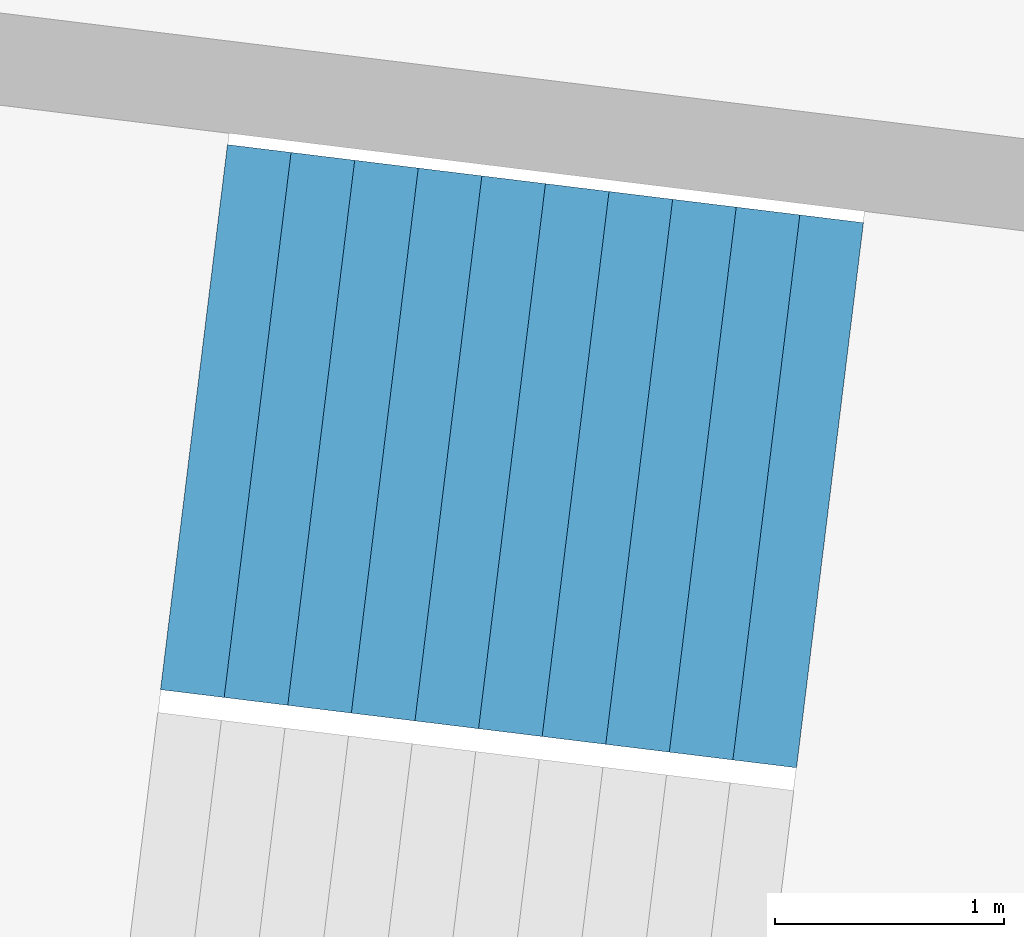
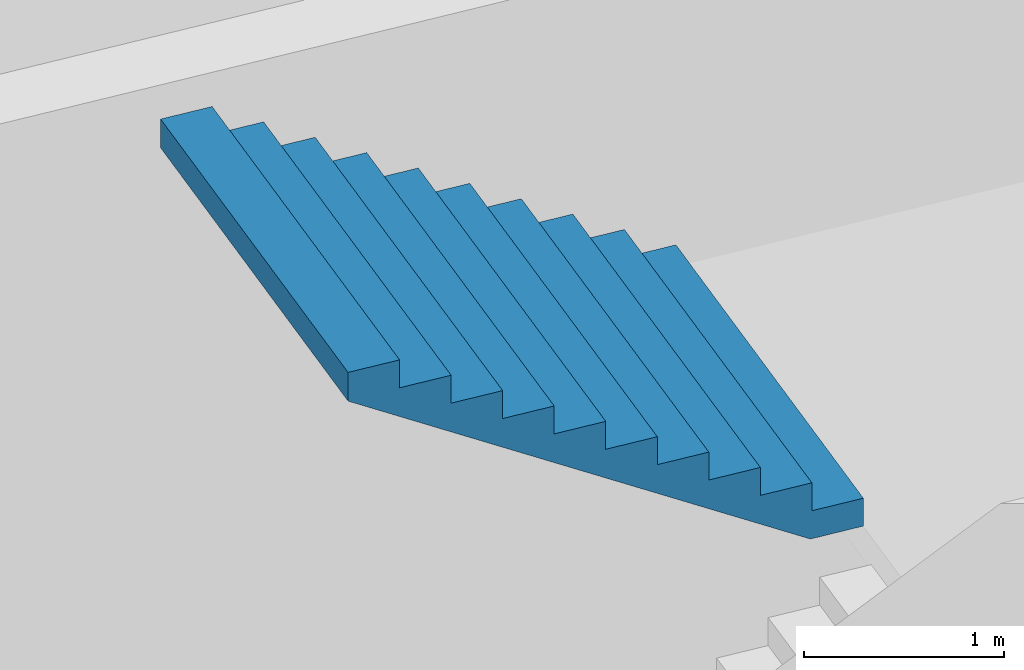
# One storey, part 56 of 73: 1 stair flight, 1 element without a shape of its own.
"""IFC4 building model written with IfcOpenShell, lengths in metres."""

from ifc_helpers import new_model, si_unit, direction, frame, origin, place, context, subcontext, project, spatial, triangles, material, type_object, element, aggregate, save


model = new_model("IFC4")

# Units and contexts
model_context = context("Model", 3, precision=1e-05, world=origin(), true_north=direction((0.0, 1.0)))
body_context = subcontext(model_context, "Body", "Model", "MODEL_VIEW")
ifc_project = project(units=[si_unit("LENGTHUNIT", "METRE"), si_unit("AREAUNIT", "SQUARE_METRE"), si_unit("VOLUMEUNIT", "CUBIC_METRE"), si_unit("PLANEANGLEUNIT", "RADIAN"), si_unit("MASSUNIT", "GRAM", prefix="KILO")], contexts=[model_context])

# Site, building, storey
site_placement = place(None, origin())
site = spatial("IfcSite", under=ifc_project, at=site_placement, CompositionType="ELEMENT")
building_placement = place(site_placement, origin())
building = spatial("IfcBuilding", under=site, at=building_placement, Name="Lantaw Convention Tower", CompositionType="ELEMENT")
storey_placement = place(building_placement, frame((0.0, 0.0, 14.5)))
storey = spatial("IfcBuildingStorey", under=building, at=storey_placement, Name="L02", CompositionType="ELEMENT", Elevation=14.5)

# Stair, stair flight
ifc_material = material(Name="Concrete C35/45", Category="concrete")
stair_type = type_object("IfcStairType", Name="Exit stair 2400 riser 170.45 in 4 flights", PredefinedType="HALF_TURN_STAIR", material=ifc_material)
stair_placement = place(storey_placement, origin())
stair = element("IfcStair", 1, at=stair_placement, inside=storey, type_object=stair_type, Name="Podium exit stair P13 L02", PredefinedType="HALF_TURN_STAIR")
stair_flight_type = type_object("IfcStairFlightType", Name="Stair flight 2400 riser 170.45", PredefinedType="STRAIGHT", material=ifc_material)
stair_flight_placement = place(storey_placement, frame((37.941162109375, -3.399169921875, 5.625), z_axis=(0.0, 0.0, 1.0), x_axis=(-0.992546151641, 0.121869343405, 0.0)))
stair_flight = element("IfcStairFlight", 2, at=stair_flight_placement, type_object=stair_flight_type, Name="P13 flight 4", NumberOfRisers=11, NumberOfTreads=10, PredefinedType="STRAIGHT", RiserHeight=0.170454545, TreadLength=0.28, context=body_context, shape_type="Tessellation", body=[
    triangles([(0.0, 1.199951171875, 0.0), (0.0, 1.199951171875, 0.170454545), (0.28, 1.199951171875, 0.0), (0.28, 1.199951171875, 0.170454545), (0.28, 1.199951171875, 0.34090909), (0.28827876332691904, 1.199951171875, 0.0), (0.28827876332691904, 1.199951171875, 0.34090909), (0.56, 1.199951171875, 0.16541471344266906), (0.56, 1.199951171875, 0.34090909), (0.56, 1.199951171875, 0.511363635), (0.8400000000000001, 1.199951171875, 0.335869258442669), (0.8400000000000001, 1.199951171875, 0.511363635), (0.8400000000000001, 1.199951171875, 0.68181818), (1.12, 1.199951171875, 0.506323803442669), (1.12, 1.199951171875, 0.68181818), (1.12, 1.199951171875, 0.8522727250000001), (1.4000000000000001, 1.199951171875, 0.676778348442669), (1.4000000000000001, 1.199951171875, 0.8522727250000001), (1.4000000000000001, 1.199951171875, 1.02272727), (1.6800000000000002, 1.199951171875, 0.847232893442669), (1.6800000000000002, 1.199951171875, 1.02272727), (1.6800000000000002, 1.199951171875, 1.193181815), (1.9600000000000002, 1.199951171875, 1.017687438442669), (1.9600000000000002, 1.199951171875, 1.193181815), (1.9600000000000002, 1.199951171875, 1.36363636), (2.24, 1.199951171875, 1.188141983442669), (2.24, 1.199951171875, 1.36363636), (2.24, 1.199951171875, 1.5340909050000002), (2.5200000000000005, 1.199951171875, 1.358596528442669), (2.5200000000000005, 1.199951171875, 1.5340909050000002), (2.5200000000000005, 1.199951171875, 1.7045454500000001), (2.8000000000000003, 1.199951171875, 1.529051073442669), (2.8000000000000003, 1.199951171875, 1.7045454500000001), (0.0, -1.199951171875, 0.0), (0.0, -1.199951171875, 0.170454545), (0.28, -1.199951171875, 0.0), (0.28, -1.199951171875, 0.170454545), (0.28, -1.199951171875, 0.34090909), (0.28827876332691904, -1.199951171875, 0.0), (0.28827876332691904, -1.199951171875, 0.34090909), (0.56, -1.199951171875, 0.16541471344266906), (0.56, -1.199951171875, 0.34090909), (0.56, -1.199951171875, 0.511363635), (0.8400000000000001, -1.199951171875, 0.335869258442669), (0.8400000000000001, -1.199951171875, 0.511363635), (0.8400000000000001, -1.199951171875, 0.68181818), (1.12, -1.199951171875, 0.506323803442669), (1.12, -1.199951171875, 0.68181818), (1.12, -1.199951171875, 0.8522727250000001), (1.4000000000000001, -1.199951171875, 0.676778348442669), (1.4000000000000001, -1.199951171875, 0.8522727250000001), (1.4000000000000001, -1.199951171875, 1.02272727), (1.6800000000000002, -1.199951171875, 0.847232893442669), (1.6800000000000002, -1.199951171875, 1.02272727), (1.6800000000000002, -1.199951171875, 1.193181815), (1.9600000000000002, -1.199951171875, 1.017687438442669), (1.9600000000000002, -1.199951171875, 1.193181815), (1.9600000000000002, -1.199951171875, 1.36363636), (2.24, -1.199951171875, 1.188141983442669), (2.24, -1.199951171875, 1.36363636), (2.24, -1.199951171875, 1.5340909050000002), (2.5200000000000005, -1.199951171875, 1.358596528442669), (2.5200000000000005, -1.199951171875, 1.5340909050000002), (2.5200000000000005, -1.199951171875, 1.7045454500000001), (2.8000000000000003, -1.199951171875, 1.529051073442669), (2.8000000000000003, -1.199951171875, 1.7045454500000001), (0.0, 0.239990234375, 0.170454545), (0.0, 0.239990234375, 0.0), (0.0, 0.1199951171875, 0.170454545), (0.0, 0.1199951171875, 0.0), (0.0, 0.0, 0.170454545), (0.0, 0.0, 0.0), (0.0, -0.1199951171875, 0.170454545), (0.0, -0.1199951171875, 0.0), (0.0, -0.239990234375, 0.170454545), (0.0, -0.239990234375, 0.0), (0.28, 0.239990234375, 0.34090909), (0.28, 0.239990234375, 0.170454545), (0.28, 0.1199951171875, 0.34090909), (0.28, 0.1199951171875, 0.170454545), (0.28, 0.0, 0.34090909), (0.28, 0.0, 0.170454545), (0.28, -0.1199951171875, 0.34090909), (0.28, -0.1199951171875, 0.170454545), (0.28, -0.239990234375, 0.34090909), (0.28, -0.239990234375, 0.170454545), (0.56, 0.239990234375, 0.511363635), (0.56, 0.239990234375, 0.34090909), (0.56, 0.1199951171875, 0.511363635), (0.56, 0.1199951171875, 0.34090909), (0.56, 0.0, 0.511363635), (0.56, 0.0, 0.34090909), (0.56, -0.1199951171875, 0.511363635), (0.56, -0.1199951171875, 0.34090909), (0.56, -0.239990234375, 0.511363635), (0.56, -0.239990234375, 0.34090909), (0.8400000000000001, 0.239990234375, 0.68181818), (0.8400000000000001, 0.239990234375, 0.511363635), (0.8400000000000001, 0.1199951171875, 0.68181818), (0.8400000000000001, 0.1199951171875, 0.511363635), (0.8400000000000001, 0.0, 0.68181818), (0.8400000000000001, 0.0, 0.511363635), (0.8400000000000001, -0.1199951171875, 0.68181818), (0.8400000000000001, -0.1199951171875, 0.511363635), (0.8400000000000001, -0.239990234375, 0.68181818), (0.8400000000000001, -0.239990234375, 0.511363635), (1.12, 0.239990234375, 0.8522727250000001), (1.12, 0.239990234375, 0.68181818), (1.12, 0.1199951171875, 0.8522727250000001), (1.12, 0.1199951171875, 0.68181818), (1.12, 0.0, 0.8522727250000001), (1.12, 0.0, 0.68181818), (1.12, -0.1199951171875, 0.8522727250000001), (1.12, -0.1199951171875, 0.68181818), (1.12, -0.239990234375, 0.8522727250000001), (1.12, -0.239990234375, 0.68181818), (1.4000000000000001, 0.239990234375, 1.02272727), (1.4000000000000001, 0.239990234375, 0.8522727250000001), (1.4000000000000001, 0.1199951171875, 1.02272727), (1.4000000000000001, 0.1199951171875, 0.8522727250000001), (1.4000000000000001, 0.0, 1.02272727), (1.4000000000000001, 0.0, 0.8522727250000001), (1.4000000000000001, -0.1199951171875, 1.02272727), (1.4000000000000001, -0.1199951171875, 0.8522727250000001), (1.4000000000000001, -0.239990234375, 1.02272727), (1.4000000000000001, -0.239990234375, 0.8522727250000001), (1.6800000000000002, 0.239990234375, 1.193181815), (1.6800000000000002, 0.239990234375, 1.02272727), (1.6800000000000002, 0.1199951171875, 1.193181815), (1.6800000000000002, 0.1199951171875, 1.02272727), (1.6800000000000002, 0.0, 1.193181815), (1.6800000000000002, 0.0, 1.02272727), (1.6800000000000002, -0.1199951171875, 1.193181815), (1.6800000000000002, -0.1199951171875, 1.02272727), (1.6800000000000002, -0.239990234375, 1.193181815), (1.6800000000000002, -0.239990234375, 1.02272727), (1.9600000000000002, 0.239990234375, 1.36363636), (1.9600000000000002, 0.239990234375, 1.193181815), (1.9600000000000002, 0.1199951171875, 1.36363636), (1.9600000000000002, 0.1199951171875, 1.193181815), (1.9600000000000002, 0.0, 1.36363636), (1.9600000000000002, 0.0, 1.193181815), (1.9600000000000002, -0.1199951171875, 1.36363636), (1.9600000000000002, -0.1199951171875, 1.193181815), (1.9600000000000002, -0.239990234375, 1.36363636), (1.9600000000000002, -0.239990234375, 1.193181815), (2.24, 0.239990234375, 1.5340909050000002), (2.24, 0.239990234375, 1.36363636), (2.24, 0.1199951171875, 1.5340909050000002), (2.24, 0.1199951171875, 1.36363636), (2.24, 0.0, 1.5340909050000002), (2.24, 0.0, 1.36363636), (2.24, -0.1199951171875, 1.5340909050000002), (2.24, -0.1199951171875, 1.36363636), (2.24, -0.239990234375, 1.5340909050000002), (2.24, -0.239990234375, 1.36363636), (2.5200000000000005, 0.239990234375, 1.7045454500000001), (2.5200000000000005, 0.239990234375, 1.5340909050000002), (2.5200000000000005, 0.1199951171875, 1.7045454500000001), (2.5200000000000005, 0.1199951171875, 1.5340909050000002), (2.5200000000000005, 0.0, 1.7045454500000001), (2.5200000000000005, 0.0, 1.5340909050000002), (2.5200000000000005, -0.1199951171875, 1.7045454500000001), (2.5200000000000005, -0.1199951171875, 1.5340909050000002), (2.5200000000000005, -0.239990234375, 1.7045454500000001), (2.5200000000000005, -0.239990234375, 1.5340909050000002), (0.28827876332691904, 0.239990234375, 0.34090909), (0.28827876332691904, 0.1199951171875, 0.34090909), (0.28827876332691904, 0.0, 0.34090909), (0.28827876332691904, -0.1199951171875, 0.34090909), (0.28827876332691904, -0.239990234375, 0.34090909), (2.8000000000000003, 0.239990234375, 1.7045454500000001), (2.8000000000000003, 0.1199951171875, 1.7045454500000001), (2.8000000000000003, 0.0, 1.7045454500000001), (2.8000000000000003, -0.1199951171875, 1.7045454500000001), (2.8000000000000003, -0.239990234375, 1.7045454500000001), (2.8000000000000003, 0.239990234375, 1.5290510734426692), (2.8000000000000003, 0.1199951171875, 1.5290510734426692), (2.8000000000000003, 0.0, 1.5290510734426692), (2.8000000000000003, -0.1199951171875, 1.5290510734426692), (2.8000000000000003, -0.239990234375, 1.5290510734426692), (2.5200000000000005, 0.239990234375, 1.358596528442669), (2.5200000000000005, 0.1199951171875, 1.358596528442669), (2.5200000000000005, 0.0, 1.358596528442669), (2.5200000000000005, -0.1199951171875, 1.358596528442669), (2.5200000000000005, -0.239990234375, 1.358596528442669), (2.24, 0.239990234375, 1.188141983442669), (2.24, 0.1199951171875, 1.188141983442669), (2.24, 0.0, 1.188141983442669), (2.24, -0.1199951171875, 1.188141983442669), (2.24, -0.239990234375, 1.188141983442669), (1.9600000000000002, 0.239990234375, 1.017687438442669), (1.9600000000000002, 0.1199951171875, 1.017687438442669), (1.9600000000000002, 0.0, 1.017687438442669), (1.9600000000000002, -0.1199951171875, 1.017687438442669), (1.9600000000000002, -0.239990234375, 1.017687438442669), (1.6800000000000002, 0.239990234375, 0.847232893442669), (1.6800000000000002, 0.1199951171875, 0.847232893442669), (1.6800000000000002, 0.0, 0.847232893442669), (1.6800000000000002, -0.1199951171875, 0.847232893442669), (1.6800000000000002, -0.239990234375, 0.847232893442669), (1.4000000000000001, 0.239990234375, 0.676778348442669), (1.4000000000000001, 0.1199951171875, 0.676778348442669), (1.4000000000000001, 0.0, 0.676778348442669), (1.4000000000000001, -0.1199951171875, 0.676778348442669), (1.4000000000000001, -0.239990234375, 0.676778348442669), (1.12, 0.239990234375, 0.506323803442669), (1.12, 0.1199951171875, 0.506323803442669), (1.12, 0.0, 0.506323803442669), (1.12, -0.1199951171875, 0.506323803442669), (1.12, -0.239990234375, 0.506323803442669), (0.8400000000000001, 0.239990234375, 0.335869258442669), (0.8400000000000001, 0.1199951171875, 0.335869258442669), (0.8400000000000001, 0.0, 0.335869258442669), (0.8400000000000001, -0.1199951171875, 0.335869258442669), (0.8400000000000001, -0.239990234375, 0.335869258442669), (0.56, 0.239990234375, 0.16541471344266906), (0.56, 0.1199951171875, 0.16541471344266906), (0.56, 0.0, 0.16541471344266906), (0.56, -0.1199951171875, 0.16541471344266906), (0.56, -0.239990234375, 0.16541471344266906), (0.28827876332691904, 0.239990234375, 0.0), (0.28827876332691904, 0.1199951171875, 0.0), (0.28827876332691904, 0.0, 0.0), (0.28827876332691904, -0.1199951171875, 0.0), (0.28827876332691904, -0.239990234375, 0.0), (0.28, 0.239990234375, 0.0), (0.28, 0.1199951171875, 0.0), (0.28, 0.0, 0.0), (0.28, -0.1199951171875, 0.0), (0.28, -0.239990234375, 0.0)], [[1, 4, 3], [1, 2, 4], [3, 4, 6], [4, 7, 6], [4, 5, 7], [6, 9, 8], [6, 7, 9], [8, 9, 11], [9, 12, 11], [9, 10, 12], [11, 12, 14], [12, 15, 14], [12, 13, 15], [14, 15, 17], [15, 18, 17], [15, 16, 18], [17, 18, 20], [18, 21, 20], [18, 19, 21], [20, 21, 23], [21, 24, 23], [21, 22, 24], [23, 24, 26], [24, 27, 26], [24, 25, 27], [26, 27, 29], [27, 30, 29], [27, 28, 30], [29, 30, 32], [30, 33, 32], [30, 31, 33], [34, 36, 37], [34, 37, 35], [36, 39, 37], [37, 39, 40], [37, 40, 38], [39, 41, 42], [39, 42, 40], [41, 44, 42], [42, 44, 45], [42, 45, 43], [44, 47, 45], [45, 47, 48], [45, 48, 46], [47, 50, 48], [48, 50, 51], [48, 51, 49], [50, 53, 51], [51, 53, 54], [51, 54, 52], [53, 56, 54], [54, 56, 57], [54, 57, 55], [56, 59, 57], [57, 59, 60], [57, 60, 58], [59, 62, 60], [60, 62, 63], [60, 63, 61], [62, 65, 63], [63, 65, 66], [63, 66, 64], [1, 67, 2], [1, 68, 67], [68, 69, 67], [68, 70, 69], [70, 71, 69], [70, 72, 71], [72, 73, 71], [72, 74, 73], [74, 75, 73], [74, 76, 75], [76, 35, 75], [76, 34, 35], [4, 77, 5], [4, 78, 77], [78, 79, 77], [78, 80, 79], [80, 81, 79], [80, 82, 81], [82, 83, 81], [82, 84, 83], [84, 85, 83], [84, 86, 85], [86, 38, 85], [86, 37, 38], [9, 87, 10], [9, 88, 87], [88, 89, 87], [88, 90, 89], [90, 91, 89], [90, 92, 91], [92, 93, 91], [92, 94, 93], [94, 95, 93], [94, 96, 95], [96, 43, 95], [96, 42, 43], [12, 97, 13], [12, 98, 97], [98, 99, 97], [98, 100, 99], [100, 101, 99], [100, 102, 101], [102, 103, 101], [102, 104, 103], [104, 105, 103], [104, 106, 105], [106, 46, 105], [106, 45, 46], [15, 107, 16], [15, 108, 107], [108, 109, 107], [108, 110, 109], [110, 111, 109], [110, 112, 111], [112, 113, 111], [112, 114, 113], [114, 115, 113], [114, 116, 115], [116, 49, 115], [116, 48, 49], [18, 117, 19], [18, 118, 117], [118, 119, 117], [118, 120, 119], [120, 121, 119], [120, 122, 121], [122, 123, 121], [122, 124, 123], [124, 125, 123], [124, 126, 125], [126, 52, 125], [126, 51, 52], [21, 127, 22], [21, 128, 127], [128, 129, 127], [128, 130, 129], [130, 131, 129], [130, 132, 131], [132, 133, 131], [132, 134, 133], [134, 135, 133], [134, 136, 135], [136, 55, 135], [136, 54, 55], [24, 137, 25], [24, 138, 137], [138, 139, 137], [138, 140, 139], [140, 141, 139], [140, 142, 141], [142, 143, 141], [142, 144, 143], [144, 145, 143], [144, 146, 145], [146, 58, 145], [146, 57, 58], [27, 147, 28], [27, 148, 147], [148, 149, 147], [148, 150, 149], [150, 151, 149], [150, 152, 151], [152, 153, 151], [152, 154, 153], [154, 155, 153], [154, 156, 155], [156, 61, 155], [156, 60, 61], [30, 157, 31], [30, 158, 157], [158, 159, 157], [158, 160, 159], [160, 161, 159], [160, 162, 161], [162, 163, 161], [162, 164, 163], [164, 165, 163], [164, 166, 165], [166, 64, 165], [166, 63, 64], [2, 78, 4], [2, 67, 78], [67, 80, 78], [67, 69, 80], [69, 82, 80], [69, 71, 82], [71, 84, 82], [71, 73, 84], [73, 86, 84], [73, 75, 86], [75, 37, 86], [75, 35, 37], [5, 167, 7], [5, 77, 167], [77, 168, 167], [77, 79, 168], [79, 169, 168], [79, 81, 169], [81, 170, 169], [81, 83, 170], [83, 171, 170], [83, 85, 171], [85, 40, 171], [85, 38, 40], [7, 88, 9], [7, 167, 88], [167, 90, 88], [167, 168, 90], [168, 92, 90], [168, 169, 92], [169, 94, 92], [169, 170, 94], [170, 96, 94], [170, 171, 96], [171, 42, 96], [171, 40, 42], [10, 98, 12], [10, 87, 98], [87, 100, 98], [87, 89, 100], [89, 102, 100], [89, 91, 102], [91, 104, 102], [91, 93, 104], [93, 106, 104], [93, 95, 106], [95, 45, 106], [95, 43, 45], [13, 108, 15], [13, 97, 108], [97, 110, 108], [97, 99, 110], [99, 112, 110], [99, 101, 112], [101, 114, 112], [101, 103, 114], [103, 116, 114], [103, 105, 116], [105, 48, 116], [105, 46, 48], [16, 118, 18], [16, 107, 118], [107, 120, 118], [107, 109, 120], [109, 122, 120], [109, 111, 122], [111, 124, 122], [111, 113, 124], [113, 126, 124], [113, 115, 126], [115, 51, 126], [115, 49, 51], [19, 128, 21], [19, 117, 128], [117, 130, 128], [117, 119, 130], [119, 132, 130], [119, 121, 132], [121, 134, 132], [121, 123, 134], [123, 136, 134], [123, 125, 136], [125, 54, 136], [125, 52, 54], [22, 138, 24], [22, 127, 138], [127, 140, 138], [127, 129, 140], [129, 142, 140], [129, 131, 142], [131, 144, 142], [131, 133, 144], [133, 146, 144], [133, 135, 146], [135, 57, 146], [135, 55, 57], [25, 148, 27], [25, 137, 148], [137, 150, 148], [137, 139, 150], [139, 152, 150], [139, 141, 152], [141, 154, 152], [141, 143, 154], [143, 156, 154], [143, 145, 156], [145, 60, 156], [145, 58, 60], [28, 158, 30], [28, 147, 158], [147, 160, 158], [147, 149, 160], [149, 162, 160], [149, 151, 162], [151, 164, 162], [151, 153, 164], [153, 166, 164], [153, 155, 166], [155, 63, 166], [155, 61, 63], [31, 172, 33], [31, 157, 172], [157, 173, 172], [157, 159, 173], [159, 174, 173], [159, 161, 174], [161, 175, 174], [161, 163, 175], [163, 176, 175], [163, 165, 176], [165, 66, 176], [165, 64, 66], [33, 177, 32], [33, 172, 177], [172, 178, 177], [172, 173, 178], [173, 179, 178], [173, 174, 179], [174, 180, 179], [174, 175, 180], [175, 181, 180], [175, 176, 181], [176, 65, 181], [176, 66, 65], [32, 182, 29], [32, 177, 182], [177, 183, 182], [177, 178, 183], [178, 184, 183], [178, 179, 184], [179, 185, 184], [179, 180, 185], [180, 186, 185], [180, 181, 186], [181, 62, 186], [181, 65, 62], [29, 187, 26], [29, 182, 187], [182, 188, 187], [182, 183, 188], [183, 189, 188], [183, 184, 189], [184, 190, 189], [184, 185, 190], [185, 191, 190], [185, 186, 191], [186, 59, 191], [186, 62, 59], [26, 192, 23], [26, 187, 192], [187, 193, 192], [187, 188, 193], [188, 194, 193], [188, 189, 194], [189, 195, 194], [189, 190, 195], [190, 196, 195], [190, 191, 196], [191, 56, 196], [191, 59, 56], [23, 197, 20], [23, 192, 197], [192, 198, 197], [192, 193, 198], [193, 199, 198], [193, 194, 199], [194, 200, 199], [194, 195, 200], [195, 201, 200], [195, 196, 201], [196, 53, 201], [196, 56, 53], [20, 202, 17], [20, 197, 202], [197, 203, 202], [197, 198, 203], [198, 204, 203], [198, 199, 204], [199, 205, 204], [199, 200, 205], [200, 206, 205], [200, 201, 206], [201, 50, 206], [201, 53, 50], [17, 207, 14], [17, 202, 207], [202, 208, 207], [202, 203, 208], [203, 209, 208], [203, 204, 209], [204, 210, 209], [204, 205, 210], [205, 211, 210], [205, 206, 211], [206, 47, 211], [206, 50, 47], [14, 212, 11], [14, 207, 212], [207, 213, 212], [207, 208, 213], [208, 214, 213], [208, 209, 214], [209, 215, 214], [209, 210, 215], [210, 216, 215], [210, 211, 216], [211, 44, 216], [211, 47, 44], [11, 217, 8], [11, 212, 217], [212, 218, 217], [212, 213, 218], [213, 219, 218], [213, 214, 219], [214, 220, 219], [214, 215, 220], [215, 221, 220], [215, 216, 221], [216, 41, 221], [216, 44, 41], [8, 222, 6], [8, 217, 222], [217, 223, 222], [217, 218, 223], [218, 224, 223], [218, 219, 224], [219, 225, 224], [219, 220, 225], [220, 226, 225], [220, 221, 226], [221, 39, 226], [221, 41, 39], [6, 227, 3], [6, 222, 227], [222, 228, 227], [222, 223, 228], [223, 229, 228], [223, 224, 229], [224, 230, 229], [224, 225, 230], [225, 231, 230], [225, 226, 231], [226, 36, 231], [226, 39, 36], [3, 68, 1], [3, 227, 68], [227, 70, 68], [227, 228, 70], [228, 72, 70], [228, 229, 72], [229, 74, 72], [229, 230, 74], [230, 76, 74], [230, 231, 76], [231, 34, 76], [231, 36, 34]], closed=True),
])
aggregate(stair, [stair_flight])

save(model, "model.ifc")
